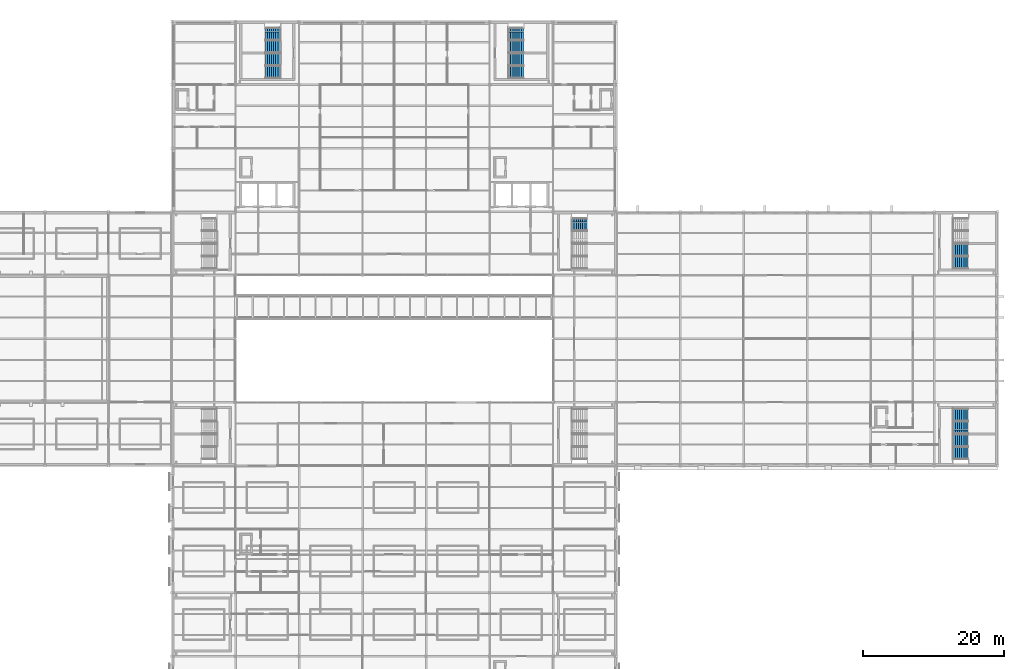
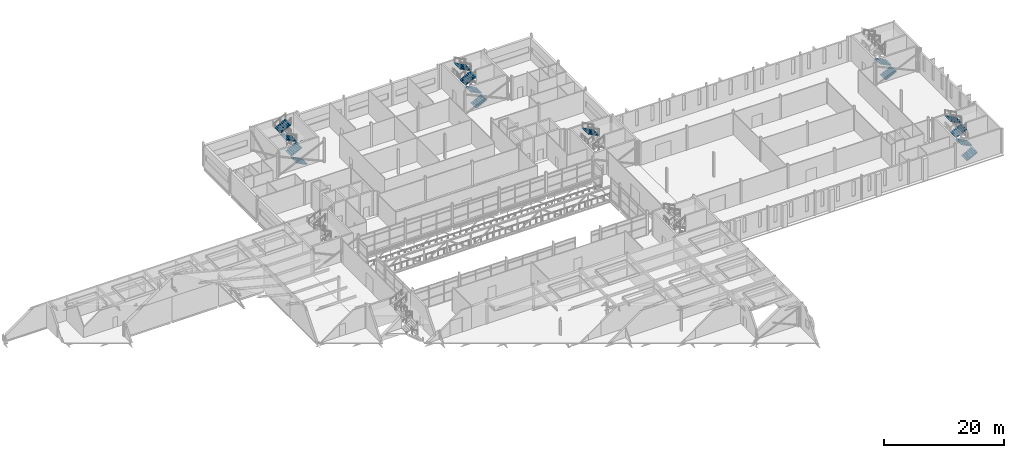
# One storey, part 93 of 115: 15 stair flights, 5 elements without a shape of their own.
"""IFC4 building model written with IfcOpenShell, lengths in metres."""

import ifcopenshell
import ifcopenshell.guid

model = None  # the IFC model being written
_history = None  # IfcOwnerHistory: only IFC2X3 demands one
_inside = {}  # id of a spatial element -> (the spatial element, [elements in it])
_under = {}  # id of a project, library or spatial element -> (it, [spatial elements below it])
_declared = {}  # id of a project -> (the project, [libraries it declares])
_typed = {}  # id of a type object -> (the type object, [elements of that type])
_made_of = {}  # id of a material, layer set ... -> (it, [elements and type objects made of it])


def new_model(schema):
    """Start an empty IFC model of exactly this schema.

    Asked for "IFC4X3", IfcOpenShell would pick the latest addendum, in which some entities
    have other attributes; the version numbers below select the first issue.
    IFC2X3 requires an IfcOwnerHistory on every rooted entity: one is made here for all.
    """
    global model, _history
    if schema == "IFC4X3":
        model = ifcopenshell.file(schema_version=(4, 3, 0, 0))
    else:
        model = ifcopenshell.file(schema=schema)
    _inside.clear()
    _under.clear()
    _declared.clear()
    _typed.clear()
    _made_of.clear()
    _history = None
    if model.schema == "IFC2X3":
        org = make("IfcOrganization", Name="unknown")
        user = make(
            "IfcPersonAndOrganization",
            ThePerson=make("IfcPerson", FamilyName="unknown"),
            TheOrganization=org,
        )
        app = make(
            "IfcApplication",
            ApplicationDeveloper=org,
            Version="unknown",
            ApplicationFullName="unknown",
            ApplicationIdentifier="unknown",
        )
        _history = make(
            "IfcOwnerHistory",
            OwningUser=user,
            OwningApplication=app,
            ChangeAction="ADDED",
            CreationDate=0,
        )
    return model


def make(cls, **values):
    """One entity of the class cls with the attributes given. An attribute that is None is left unset."""
    return model.create_entity(
        cls, **{name: value for name, value in values.items() if value is not None}
    )


def rooted(cls, **values):
    """An entity with a GlobalId (a new one), such as an element, a storey or a relation."""
    return make(cls, GlobalId=ifcopenshell.guid.new(), OwnerHistory=_history, **values)


def si_unit(unit_type, name, prefix=None):
    """IfcSIUnit, for example si_unit("LENGTHUNIT", "METRE", prefix="MILLI")."""
    return make("IfcSIUnit", UnitType=unit_type, Prefix=prefix, Name=name)


def assignment(units):
    """IfcUnitAssignment: the units of a project."""
    return None if units is None else make("IfcUnitAssignment", Units=units)


def point(xyz):
    """IfcCartesianPoint."""
    return None if xyz is None else make("IfcCartesianPoint", Coordinates=xyz)


def direction(xyz):
    """IfcDirection."""
    return None if xyz is None else make("IfcDirection", DirectionRatios=xyz)


def frame(location, z_axis=None, x_axis=None):
    """IfcAxis2Placement3D, a coordinate frame: its origin and axes. An axis left out is left unset."""
    return make(
        "IfcAxis2Placement3D",
        Location=point(location),
        Axis=direction(z_axis),
        RefDirection=direction(x_axis),
    )


def origin():
    """The frame at (0, 0, 0) with its axes left unset."""
    return frame((0.0, 0.0, 0.0))


def place(relative_to, where):
    """IfcLocalPlacement: puts the frame where relative to a parent placement (None: the world)."""
    return make(
        "IfcLocalPlacement", PlacementRelTo=relative_to, RelativePlacement=where
    )


def context(
    kind, dimensions, precision=None, world=None, true_north=None, identifier=None
):
    """IfcGeometricRepresentationContext, for example the 3D "Model" context."""
    return make(
        "IfcGeometricRepresentationContext",
        ContextIdentifier=identifier,
        ContextType=kind,
        CoordinateSpaceDimension=dimensions,
        Precision=precision,
        WorldCoordinateSystem=world,
        TrueNorth=true_north,
    )


def subcontext(parent, identifier, kind, view, scale=None):
    """IfcGeometricRepresentationSubContext, for example "Body" below "Model"."""
    return make(
        "IfcGeometricRepresentationSubContext",
        ContextIdentifier=identifier,
        ContextType=kind,
        ParentContext=parent,
        TargetScale=scale,
        TargetView=view,
    )


def project(units=None, contexts=None):
    """IfcProject with its units and contexts."""
    return rooted(
        "IfcProject",
        Name="project",
        RepresentationContexts=contexts,
        UnitsInContext=assignment(units),
    )


def spatial(cls, under=None, at=None, **own):
    """A site, building, storey or space (cls), placed at a placement, below another one or the project."""
    s = rooted(cls, ObjectPlacement=at, **own)
    if under is not None:
        _under.setdefault(under.id(), (under, []))[1].append(s)
    return s


def polyline(points):
    """IfcPolyline through the points."""
    return make("IfcPolyline", Points=[point(p) for p in points])


def outline(outer, holes=None, kind="AREA"):
    """IfcArbitraryClosedProfileDef: a profile drawn as a closed curve; with holes, ...WithVoids."""
    if holes is None:
        return make("IfcArbitraryClosedProfileDef", ProfileType=kind, OuterCurve=outer)
    return make(
        "IfcArbitraryProfileDefWithVoids",
        ProfileType=kind,
        OuterCurve=outer,
        InnerCurves=holes,
    )


def extrude(swept, where, along, depth):
    """IfcExtrudedAreaSolid: the profile swept, set in the frame where, extruded along a direction by depth."""
    return make(
        "IfcExtrudedAreaSolid",
        SweptArea=swept,
        Position=where,
        ExtrudedDirection=direction(along),
        Depth=depth,
    )


def shape(context_of_items, identifier, shape_type, items):
    """IfcShapeRepresentation: the items that make up one representation, for example the "Body"."""
    return make(
        "IfcShapeRepresentation",
        ContextOfItems=context_of_items,
        RepresentationIdentifier=identifier,
        RepresentationType=shape_type,
        Items=items,
    )


def material(Name=None, Category=None):
    """IfcMaterial."""
    return make("IfcMaterial", Name=Name, Category=Category)


def made_of(thing, what):
    """Note that an element or type object is made of a material, layer set ...; save() writes the relation."""
    if what is not None:
        _made_of.setdefault(what.id(), (what, []))[1].append(thing)
    return thing


def type_object(cls, material=None, **own):
    """A type object (cls), such as IfcWallType, which elements share."""
    return made_of(rooted(cls, **own), material)


def element(
    cls,
    number,
    at=None,
    inside=None,
    cuts=None,
    type_object=None,
    material=None,
    context=None,
    identifier="Body",
    shape_type=None,
    held_by="IfcProductDefinitionShape",
    body=None,
    shapes=None,
    **own,
):
    """One element of the class cls, such as IfcWall. Its Tag is "e" and its number.

    at: its placement. inside: the storey or other place that contains it. cuts: it is an
    opening in that element (IfcRelVoidsElement). A single representation is given by context,
    identifier, shape_type and body (its items); several are given by shapes. held_by: the class
    of the entity that holds the representations. save() writes the other relations.
    """
    e = rooted(cls, Tag="e%d" % number, ObjectPlacement=at, **own)
    if body is not None:
        shapes = [shape(context, identifier, shape_type, body)]
    if shapes is not None:
        e.Representation = make(held_by, Representations=shapes)
    if inside is not None:
        _inside.setdefault(inside.id(), (inside, []))[1].append(e)
    if cuts is not None:
        rooted(
            "IfcRelVoidsElement", RelatingBuildingElement=cuts, RelatedOpeningElement=e
        )
    if type_object is not None:
        _typed.setdefault(type_object.id(), (type_object, []))[1].append(e)
    return made_of(e, material)


def aggregate(whole, parts):
    """IfcRelAggregates: a whole, such as a stair, and the parts it consists of."""
    return rooted("IfcRelAggregates", RelatingObject=whole, RelatedObjects=parts)


def save(model, path):
    """Write the relations noted so far, then the file.

    IfcRelAggregates (storeys below a building ...), IfcRelContainedInSpatialStructure (elements
    in a storey), IfcRelDefinesByType, IfcRelAssociatesMaterial and IfcRelDeclares: one each for
    every whole, place, type object, material and project.
    """
    for whole, parts in _under.values():
        aggregate(whole, parts)
    for where, things in _inside.values():
        rooted(
            "IfcRelContainedInSpatialStructure",
            RelatedElements=things,
            RelatingStructure=where,
        )
    for kind, things in _typed.values():
        rooted("IfcRelDefinesByType", RelatedObjects=things, RelatingType=kind)
    for what, things in _made_of.values():
        rooted("IfcRelAssociatesMaterial", RelatedObjects=things, RelatingMaterial=what)
    for by, libraries in _declared.values():
        rooted("IfcRelDeclares", RelatingContext=by, RelatedDefinitions=libraries)
    model.write(path)


model = new_model("IFC4")

# Units and contexts
model_context = context("Model", 3, precision=1e-05, world=origin(), true_north=direction((0.0, 1.0)))
body_context = subcontext(model_context, "Body", "Model", "MODEL_VIEW")
ifc_project = project(units=[si_unit("LENGTHUNIT", "METRE"), si_unit("AREAUNIT", "SQUARE_METRE"), si_unit("VOLUMEUNIT", "CUBIC_METRE"), si_unit("PLANEANGLEUNIT", "RADIAN"), si_unit("MASSUNIT", "GRAM", prefix="KILO")], contexts=[model_context])

# Site, building, storey
site_placement = place(None, origin())
site = spatial("IfcSite", under=ifc_project, at=site_placement, CompositionType="ELEMENT")
building_placement = place(site_placement, origin())
building = spatial("IfcBuilding", under=site, at=building_placement, Name="Shorebreak Coast Museum", CompositionType="ELEMENT")
storey_placement = place(building_placement, frame((0.0, 0.0, 11.0)))
storey = spatial("IfcBuildingStorey", under=building, at=storey_placement, Name="L02", CompositionType="ELEMENT", Elevation=11.0)

# Stair, stair flight
ifc_material_1 = material(Name="Concrete N40 (40 MPa)", Category="concrete")
stair_type = type_object("IfcStairType", Name="Stair run 5 m", PredefinedType="DOUBLE_RETURN_STAIR", material=ifc_material_1)
stair_1_placement = place(storey_placement, origin())
stair_1 = element("IfcStair", 1, at=stair_1_placement, inside=storey, type_object=stair_type, Name="Exit stair ST04-L02", PredefinedType="DOUBLE_RETURN_STAIR")
ifc_material_2 = material(Name="Concrete N40 (40 MPa)", Category="concrete")
stair_flight_type = type_object("IfcStairFlightType", Name="Stair flight 8 risers 156.25", PredefinedType="STRAIGHT", material=ifc_material_2)
stair_flight_1_placement = place(storey_placement, frame((112.800048828125, 88.199951171875, 3.75), z_axis=(0.0, 0.0, 1.0), x_axis=(-1.0, 0.0, 0.0)))
stair_flight_1 = element("IfcStairFlight", 2, at=stair_flight_1_placement, type_object=stair_flight_type, Name="ST04-L02 flight 4", NumberOfRisers=8, NumberOfTreads=7, PredefinedType="STRAIGHT", RiserHeight=0.15625, TreadLength=0.3, context=body_context, shape_type="SweptSolid", body=[
    extrude(outline(polyline([(0.0, 0.0), (0.0, 0.15625), (0.300048828125, 0.15625), (0.300048828125, 0.3125), (0.60009765625, 0.3125), (0.60009765625, 0.46875), (0.89990234375, 0.46875), (0.89990234375, 0.625), (1.199951171875, 0.625), (1.199951171875, 0.78125), (1.5, 0.78125), (1.5, 0.9375), (1.800048828125, 0.9375), (1.800048828125, 1.09375), (2.10009765625, 1.09375), (2.10009765625, 1.25), (2.10009765625, 0.9248046875), (0.324462890625, 0.0), (0.0, 0.0)])), frame((0.0, 0.89990234375, 0.0), z_axis=(0.0, -1.0, 0.0), x_axis=(1.0, 0.0, 0.0)), (0.0, 0.0, 1.0), 0.59326171875),
    extrude(outline(polyline([(0.0, 0.0), (0.0, 0.15625), (0.300048828125, 0.15625), (0.300048828125, 0.3125), (0.60009765625, 0.3125), (0.60009765625, 0.46875), (0.89990234375, 0.46875), (0.89990234375, 0.625), (1.199951171875, 0.625), (1.199951171875, 0.78125), (1.5, 0.78125), (1.5, 0.9375), (1.800048828125, 0.9375), (1.800048828125, 1.09375), (2.10009765625, 1.09375), (2.10009765625, 1.25), (2.10009765625, 0.9248046875), (0.324462890625, 0.0), (0.0, 0.0)])), frame((0.0, 0.296630859375, 0.0), z_axis=(0.0, -1.0, 0.0), x_axis=(1.0, 0.0, 0.0)), (0.0, 0.0, 1.0), 0.59326171875),
    extrude(outline(polyline([(0.0, 0.0), (0.0, 0.15625), (0.300048828125, 0.15625), (0.300048828125, 0.3125), (0.60009765625, 0.3125), (0.60009765625, 0.46875), (0.89990234375, 0.46875), (0.89990234375, 0.625), (1.199951171875, 0.625), (1.199951171875, 0.78125), (1.5, 0.78125), (1.5, 0.9375), (1.800048828125, 0.9375), (1.800048828125, 1.09375), (2.10009765625, 1.09375), (2.10009765625, 1.25), (2.10009765625, 0.9248046875), (0.324462890625, 0.0), (0.0, 0.0)])), frame((0.0, -0.306640625, 0.0), z_axis=(0.0, -1.0, 0.0), x_axis=(1.0, 0.0, 0.0)), (0.0, 0.0, 1.0), 0.59326171875),
])
aggregate(stair_1, [stair_flight_1])

# Stair, stair flights
stair_2_placement = place(storey_placement, origin())
stair_2 = element("IfcStair", 3, at=stair_2_placement, inside=storey, type_object=stair_type, Name="Exit stair ST07-L02", PredefinedType="DOUBLE_RETURN_STAIR")
stair_flight_2_placement = place(storey_placement, frame((164.699951171875, 55.800048828125, 0.0), z_axis=(0.0, 0.0, 1.0), x_axis=(1.0, 0.0, 0.0)))
stair_flight_2 = element("IfcStairFlight", 4, at=stair_flight_2_placement, type_object=stair_flight_type, Name="ST07-L02 flight 1", NumberOfRisers=8, NumberOfTreads=7, PredefinedType="STRAIGHT", RiserHeight=0.15625, TreadLength=0.3, context=body_context, shape_type="SweptSolid", body=[
    extrude(outline(polyline([(0.0, 0.0), (0.0, 0.15625), (0.300048828125, 0.15625), (0.300048828125, 0.3125), (0.60009765625, 0.3125), (0.60009765625, 0.46875), (0.89990234375, 0.46875), (0.89990234375, 0.625), (1.199951171875, 0.625), (1.199951171875, 0.78125), (1.5, 0.78125), (1.5, 0.9375), (1.800048828125, 0.9375), (1.800048828125, 1.09375), (2.10009765625, 1.09375), (2.10009765625, 1.25), (2.10009765625, 0.9248046875), (0.324462890625, 0.0), (0.0, 0.0)])), frame((0.0, 0.89990234375, 0.0), z_axis=(0.0, -1.0, 0.0), x_axis=(1.0, 0.0, 0.0)), (0.0, 0.0, 1.0), 0.59326171875),
    extrude(outline(polyline([(0.0, 0.0), (0.0, 0.15625), (0.300048828125, 0.15625), (0.300048828125, 0.3125), (0.60009765625, 0.3125), (0.60009765625, 0.46875), (0.89990234375, 0.46875), (0.89990234375, 0.625), (1.199951171875, 0.625), (1.199951171875, 0.78125), (1.5, 0.78125), (1.5, 0.9375), (1.800048828125, 0.9375), (1.800048828125, 1.09375), (2.10009765625, 1.09375), (2.10009765625, 1.25), (2.10009765625, 0.9248046875), (0.324462890625, 0.0), (0.0, 0.0)])), frame((0.0, 0.296630859375, 0.0), z_axis=(0.0, -1.0, 0.0), x_axis=(1.0, 0.0, 0.0)), (0.0, 0.0, 1.0), 0.59326171875),
    extrude(outline(polyline([(0.0, 0.0), (0.0, 0.15625), (0.300048828125, 0.15625), (0.300048828125, 0.3125), (0.60009765625, 0.3125), (0.60009765625, 0.46875), (0.89990234375, 0.46875), (0.89990234375, 0.625), (1.199951171875, 0.625), (1.199951171875, 0.78125), (1.5, 0.78125), (1.5, 0.9375), (1.800048828125, 0.9375), (1.800048828125, 1.09375), (2.10009765625, 1.09375), (2.10009765625, 1.25), (2.10009765625, 0.9248046875), (0.324462890625, 0.0), (0.0, 0.0)])), frame((0.0, -0.306640625, 0.0), z_axis=(0.0, -1.0, 0.0), x_axis=(1.0, 0.0, 0.0)), (0.0, 0.0, 1.0), 0.59326171875),
])
stair_flight_3_placement = place(storey_placement, frame((166.800048828125, 57.60009765625, 1.25), z_axis=(0.0, 0.0, 1.0), x_axis=(-1.0, 0.0, 0.0)))
stair_flight_3 = element("IfcStairFlight", 5, at=stair_flight_3_placement, type_object=stair_flight_type, Name="ST07-L02 flight 2", NumberOfRisers=8, NumberOfTreads=7, PredefinedType="STRAIGHT", RiserHeight=0.15625, TreadLength=0.3, context=body_context, shape_type="SweptSolid", body=[
    extrude(outline(polyline([(0.0, 0.0), (0.0, 0.15625), (0.300048828125, 0.15625), (0.300048828125, 0.3125), (0.60009765625, 0.3125), (0.60009765625, 0.46875), (0.89990234375, 0.46875), (0.89990234375, 0.625), (1.199951171875, 0.625), (1.199951171875, 0.78125), (1.5, 0.78125), (1.5, 0.9375), (1.800048828125, 0.9375), (1.800048828125, 1.09375), (2.10009765625, 1.09375), (2.10009765625, 1.25), (2.10009765625, 0.9248046875), (0.324462890625, 0.0), (0.0, 0.0)])), frame((0.0, 0.89990234375, 0.0), z_axis=(0.0, -1.0, 0.0), x_axis=(1.0, 0.0, 0.0)), (0.0, 0.0, 1.0), 0.59326171875),
    extrude(outline(polyline([(0.0, 0.0), (0.0, 0.15625), (0.300048828125, 0.15625), (0.300048828125, 0.3125), (0.60009765625, 0.3125), (0.60009765625, 0.46875), (0.89990234375, 0.46875), (0.89990234375, 0.625), (1.199951171875, 0.625), (1.199951171875, 0.78125), (1.5, 0.78125), (1.5, 0.9375), (1.800048828125, 0.9375), (1.800048828125, 1.09375), (2.10009765625, 1.09375), (2.10009765625, 1.25), (2.10009765625, 0.9248046875), (0.324462890625, 0.0), (0.0, 0.0)])), frame((0.0, 0.296630859375, 0.0), z_axis=(0.0, -1.0, 0.0), x_axis=(1.0, 0.0, 0.0)), (0.0, 0.0, 1.0), 0.59326171875),
    extrude(outline(polyline([(0.0, 0.0), (0.0, 0.15625), (0.300048828125, 0.15625), (0.300048828125, 0.3125), (0.60009765625, 0.3125), (0.60009765625, 0.46875), (0.89990234375, 0.46875), (0.89990234375, 0.625), (1.199951171875, 0.625), (1.199951171875, 0.78125), (1.5, 0.78125), (1.5, 0.9375), (1.800048828125, 0.9375), (1.800048828125, 1.09375), (2.10009765625, 1.09375), (2.10009765625, 1.25), (2.10009765625, 0.9248046875), (0.324462890625, 0.0), (0.0, 0.0)])), frame((0.0, -0.306640625, 0.0), z_axis=(0.0, -1.0, 0.0), x_axis=(1.0, 0.0, 0.0)), (0.0, 0.0, 1.0), 0.59326171875),
])
stair_flight_4_placement = place(storey_placement, frame((164.699951171875, 59.39990234375, 2.5), z_axis=(0.0, 0.0, 1.0), x_axis=(1.0, 0.0, 0.0)))
stair_flight_4 = element("IfcStairFlight", 6, at=stair_flight_4_placement, type_object=stair_flight_type, Name="ST07-L02 flight 3", NumberOfRisers=8, NumberOfTreads=7, PredefinedType="STRAIGHT", RiserHeight=0.15625, TreadLength=0.3, context=body_context, shape_type="SweptSolid", body=[
    extrude(outline(polyline([(0.0, 0.0), (0.0, 0.15625), (0.300048828125, 0.15625), (0.300048828125, 0.3125), (0.60009765625, 0.3125), (0.60009765625, 0.46875), (0.89990234375, 0.46875), (0.89990234375, 0.625), (1.199951171875, 0.625), (1.199951171875, 0.78125), (1.5, 0.78125), (1.5, 0.9375), (1.800048828125, 0.9375), (1.800048828125, 1.09375), (2.10009765625, 1.09375), (2.10009765625, 1.25), (2.10009765625, 0.9248046875), (0.324462890625, 0.0), (0.0, 0.0)])), frame((0.0, 0.89990234375, 0.0), z_axis=(0.0, -1.0, 0.0), x_axis=(1.0, 0.0, 0.0)), (0.0, 0.0, 1.0), 0.59326171875),
    extrude(outline(polyline([(0.0, 0.0), (0.0, 0.15625), (0.300048828125, 0.15625), (0.300048828125, 0.3125), (0.60009765625, 0.3125), (0.60009765625, 0.46875), (0.89990234375, 0.46875), (0.89990234375, 0.625), (1.199951171875, 0.625), (1.199951171875, 0.78125), (1.5, 0.78125), (1.5, 0.9375), (1.800048828125, 0.9375), (1.800048828125, 1.09375), (2.10009765625, 1.09375), (2.10009765625, 1.25), (2.10009765625, 0.9248046875), (0.324462890625, 0.0), (0.0, 0.0)])), frame((0.0, 0.296630859375, 0.0), z_axis=(0.0, -1.0, 0.0), x_axis=(1.0, 0.0, 0.0)), (0.0, 0.0, 1.0), 0.59326171875),
    extrude(outline(polyline([(0.0, 0.0), (0.0, 0.15625), (0.300048828125, 0.15625), (0.300048828125, 0.3125), (0.60009765625, 0.3125), (0.60009765625, 0.46875), (0.89990234375, 0.46875), (0.89990234375, 0.625), (1.199951171875, 0.625), (1.199951171875, 0.78125), (1.5, 0.78125), (1.5, 0.9375), (1.800048828125, 0.9375), (1.800048828125, 1.09375), (2.10009765625, 1.09375), (2.10009765625, 1.25), (2.10009765625, 0.9248046875), (0.324462890625, 0.0), (0.0, 0.0)])), frame((0.0, -0.306640625, 0.0), z_axis=(0.0, -1.0, 0.0), x_axis=(1.0, 0.0, 0.0)), (0.0, 0.0, 1.0), 0.59326171875),
])
stair_flight_5_placement = place(storey_placement, frame((166.800048828125, 61.199951171875, 3.75), z_axis=(0.0, 0.0, 1.0), x_axis=(-1.0, 0.0, 0.0)))
stair_flight_5 = element("IfcStairFlight", 7, at=stair_flight_5_placement, type_object=stair_flight_type, Name="ST07-L02 flight 4", NumberOfRisers=8, NumberOfTreads=7, PredefinedType="STRAIGHT", RiserHeight=0.15625, TreadLength=0.3, context=body_context, shape_type="SweptSolid", body=[
    extrude(outline(polyline([(0.0, 0.0), (0.0, 0.15625), (0.300048828125, 0.15625), (0.300048828125, 0.3125), (0.60009765625, 0.3125), (0.60009765625, 0.46875), (0.89990234375, 0.46875), (0.89990234375, 0.625), (1.199951171875, 0.625), (1.199951171875, 0.78125), (1.5, 0.78125), (1.5, 0.9375), (1.800048828125, 0.9375), (1.800048828125, 1.09375), (2.10009765625, 1.09375), (2.10009765625, 1.25), (2.10009765625, 0.9248046875), (0.324462890625, 0.0), (0.0, 0.0)])), frame((0.0, 0.89990234375, 0.0), z_axis=(0.0, -1.0, 0.0), x_axis=(1.0, 0.0, 0.0)), (0.0, 0.0, 1.0), 0.59326171875),
    extrude(outline(polyline([(0.0, 0.0), (0.0, 0.15625), (0.300048828125, 0.15625), (0.300048828125, 0.3125), (0.60009765625, 0.3125), (0.60009765625, 0.46875), (0.89990234375, 0.46875), (0.89990234375, 0.625), (1.199951171875, 0.625), (1.199951171875, 0.78125), (1.5, 0.78125), (1.5, 0.9375), (1.800048828125, 0.9375), (1.800048828125, 1.09375), (2.10009765625, 1.09375), (2.10009765625, 1.25), (2.10009765625, 0.9248046875), (0.324462890625, 0.0), (0.0, 0.0)])), frame((0.0, 0.296630859375, 0.0), z_axis=(0.0, -1.0, 0.0), x_axis=(1.0, 0.0, 0.0)), (0.0, 0.0, 1.0), 0.59326171875),
    extrude(outline(polyline([(0.0, 0.0), (0.0, 0.15625), (0.300048828125, 0.15625), (0.300048828125, 0.3125), (0.60009765625, 0.3125), (0.60009765625, 0.46875), (0.89990234375, 0.46875), (0.89990234375, 0.625), (1.199951171875, 0.625), (1.199951171875, 0.78125), (1.5, 0.78125), (1.5, 0.9375), (1.800048828125, 0.9375), (1.800048828125, 1.09375), (2.10009765625, 1.09375), (2.10009765625, 1.25), (2.10009765625, 0.9248046875), (0.324462890625, 0.0), (0.0, 0.0)])), frame((0.0, -0.306640625, 0.0), z_axis=(0.0, -1.0, 0.0), x_axis=(1.0, 0.0, 0.0)), (0.0, 0.0, 1.0), 0.59326171875),
])
aggregate(stair_2, [stair_flight_2, stair_flight_3, stair_flight_4, stair_flight_5])

stair_3_placement = place(storey_placement, origin())
stair_3 = element("IfcStair", 8, at=stair_3_placement, inside=storey, type_object=stair_type, Name="Exit stair ST08-L02", PredefinedType="DOUBLE_RETURN_STAIR")
stair_flight_6_placement = place(storey_placement, frame((164.699951171875, 82.800048828125, 0.0), z_axis=(0.0, 0.0, 1.0), x_axis=(1.0, 0.0, 0.0)))
stair_flight_6 = element("IfcStairFlight", 9, at=stair_flight_6_placement, type_object=stair_flight_type, Name="ST08-L02 flight 1", NumberOfRisers=8, NumberOfTreads=7, PredefinedType="STRAIGHT", RiserHeight=0.15625, TreadLength=0.3, context=body_context, shape_type="SweptSolid", body=[
    extrude(outline(polyline([(0.0, 0.0), (0.0, 0.15625), (0.300048828125, 0.15625), (0.300048828125, 0.3125), (0.60009765625, 0.3125), (0.60009765625, 0.46875), (0.89990234375, 0.46875), (0.89990234375, 0.625), (1.199951171875, 0.625), (1.199951171875, 0.78125), (1.5, 0.78125), (1.5, 0.9375), (1.800048828125, 0.9375), (1.800048828125, 1.09375), (2.10009765625, 1.09375), (2.10009765625, 1.25), (2.10009765625, 0.9248046875), (0.324462890625, 0.0), (0.0, 0.0)])), frame((0.0, 0.89990234375, 0.0), z_axis=(0.0, -1.0, 0.0), x_axis=(1.0, 0.0, 0.0)), (0.0, 0.0, 1.0), 0.59326171875),
    extrude(outline(polyline([(0.0, 0.0), (0.0, 0.15625), (0.300048828125, 0.15625), (0.300048828125, 0.3125), (0.60009765625, 0.3125), (0.60009765625, 0.46875), (0.89990234375, 0.46875), (0.89990234375, 0.625), (1.199951171875, 0.625), (1.199951171875, 0.78125), (1.5, 0.78125), (1.5, 0.9375), (1.800048828125, 0.9375), (1.800048828125, 1.09375), (2.10009765625, 1.09375), (2.10009765625, 1.25), (2.10009765625, 0.9248046875), (0.324462890625, 0.0), (0.0, 0.0)])), frame((0.0, 0.296630859375, 0.0), z_axis=(0.0, -1.0, 0.0), x_axis=(1.0, 0.0, 0.0)), (0.0, 0.0, 1.0), 0.59326171875),
    extrude(outline(polyline([(0.0, 0.0), (0.0, 0.15625), (0.300048828125, 0.15625), (0.300048828125, 0.3125), (0.60009765625, 0.3125), (0.60009765625, 0.46875), (0.89990234375, 0.46875), (0.89990234375, 0.625), (1.199951171875, 0.625), (1.199951171875, 0.78125), (1.5, 0.78125), (1.5, 0.9375), (1.800048828125, 0.9375), (1.800048828125, 1.09375), (2.10009765625, 1.09375), (2.10009765625, 1.25), (2.10009765625, 0.9248046875), (0.324462890625, 0.0), (0.0, 0.0)])), frame((0.0, -0.306640625, 0.0), z_axis=(0.0, -1.0, 0.0), x_axis=(1.0, 0.0, 0.0)), (0.0, 0.0, 1.0), 0.59326171875),
])
stair_flight_7_placement = place(storey_placement, frame((166.800048828125, 84.60009765625, 1.25), z_axis=(0.0, 0.0, 1.0), x_axis=(-1.0, 0.0, 0.0)))
stair_flight_7 = element("IfcStairFlight", 10, at=stair_flight_7_placement, type_object=stair_flight_type, Name="ST08-L02 flight 2", NumberOfRisers=8, NumberOfTreads=7, PredefinedType="STRAIGHT", RiserHeight=0.15625, TreadLength=0.3, context=body_context, shape_type="SweptSolid", body=[
    extrude(outline(polyline([(0.0, 0.0), (0.0, 0.15625), (0.300048828125, 0.15625), (0.300048828125, 0.3125), (0.60009765625, 0.3125), (0.60009765625, 0.46875), (0.89990234375, 0.46875), (0.89990234375, 0.625), (1.199951171875, 0.625), (1.199951171875, 0.78125), (1.5, 0.78125), (1.5, 0.9375), (1.800048828125, 0.9375), (1.800048828125, 1.09375), (2.10009765625, 1.09375), (2.10009765625, 1.25), (2.10009765625, 0.9248046875), (0.324462890625, 0.0), (0.0, 0.0)])), frame((0.0, 0.89990234375, 0.0), z_axis=(0.0, -1.0, 0.0), x_axis=(1.0, 0.0, 0.0)), (0.0, 0.0, 1.0), 0.59326171875),
    extrude(outline(polyline([(0.0, 0.0), (0.0, 0.15625), (0.300048828125, 0.15625), (0.300048828125, 0.3125), (0.60009765625, 0.3125), (0.60009765625, 0.46875), (0.89990234375, 0.46875), (0.89990234375, 0.625), (1.199951171875, 0.625), (1.199951171875, 0.78125), (1.5, 0.78125), (1.5, 0.9375), (1.800048828125, 0.9375), (1.800048828125, 1.09375), (2.10009765625, 1.09375), (2.10009765625, 1.25), (2.10009765625, 0.9248046875), (0.324462890625, 0.0), (0.0, 0.0)])), frame((0.0, 0.296630859375, 0.0), z_axis=(0.0, -1.0, 0.0), x_axis=(1.0, 0.0, 0.0)), (0.0, 0.0, 1.0), 0.59326171875),
    extrude(outline(polyline([(0.0, 0.0), (0.0, 0.15625), (0.300048828125, 0.15625), (0.300048828125, 0.3125), (0.60009765625, 0.3125), (0.60009765625, 0.46875), (0.89990234375, 0.46875), (0.89990234375, 0.625), (1.199951171875, 0.625), (1.199951171875, 0.78125), (1.5, 0.78125), (1.5, 0.9375), (1.800048828125, 0.9375), (1.800048828125, 1.09375), (2.10009765625, 1.09375), (2.10009765625, 1.25), (2.10009765625, 0.9248046875), (0.324462890625, 0.0), (0.0, 0.0)])), frame((0.0, -0.306640625, 0.0), z_axis=(0.0, -1.0, 0.0), x_axis=(1.0, 0.0, 0.0)), (0.0, 0.0, 1.0), 0.59326171875),
])
aggregate(stair_3, [stair_flight_6, stair_flight_7])

stair_4_placement = place(storey_placement, origin())
stair_4 = element("IfcStair", 11, at=stair_4_placement, inside=storey, type_object=stair_type, Name="Exit stair ST09-L02", PredefinedType="DOUBLE_RETURN_STAIR")
stair_flight_8_placement = place(storey_placement, frame((69.300048828125, 109.800048828125, 0.0), z_axis=(0.0, 0.0, 1.0), x_axis=(-1.0, 0.0, 0.0)))
stair_flight_8 = element("IfcStairFlight", 12, at=stair_flight_8_placement, type_object=stair_flight_type, Name="ST09-L02 flight 1", NumberOfRisers=8, NumberOfTreads=7, PredefinedType="STRAIGHT", RiserHeight=0.15625, TreadLength=0.3, context=body_context, shape_type="SweptSolid", body=[
    extrude(outline(polyline([(0.0, 0.0), (0.0, 0.15625), (0.300048828125, 0.15625), (0.300048828125, 0.3125), (0.60009765625, 0.3125), (0.60009765625, 0.46875), (0.89990234375, 0.46875), (0.89990234375, 0.625), (1.199951171875, 0.625), (1.199951171875, 0.78125), (1.5, 0.78125), (1.5, 0.9375), (1.800048828125, 0.9375), (1.800048828125, 1.09375), (2.10009765625, 1.09375), (2.10009765625, 1.25), (2.10009765625, 0.9248046875), (0.324462890625, 0.0), (0.0, 0.0)])), frame((0.0, 0.89990234375, 0.0), z_axis=(0.0, -1.0, 0.0), x_axis=(1.0, 0.0, 0.0)), (0.0, 0.0, 1.0), 0.59326171875),
    extrude(outline(polyline([(0.0, 0.0), (0.0, 0.15625), (0.300048828125, 0.15625), (0.300048828125, 0.3125), (0.60009765625, 0.3125), (0.60009765625, 0.46875), (0.89990234375, 0.46875), (0.89990234375, 0.625), (1.199951171875, 0.625), (1.199951171875, 0.78125), (1.5, 0.78125), (1.5, 0.9375), (1.800048828125, 0.9375), (1.800048828125, 1.09375), (2.10009765625, 1.09375), (2.10009765625, 1.25), (2.10009765625, 0.9248046875), (0.324462890625, 0.0), (0.0, 0.0)])), frame((0.0, 0.296630859375, 0.0), z_axis=(0.0, -1.0, 0.0), x_axis=(1.0, 0.0, 0.0)), (0.0, 0.0, 1.0), 0.59326171875),
    extrude(outline(polyline([(0.0, 0.0), (0.0, 0.15625), (0.300048828125, 0.15625), (0.300048828125, 0.3125), (0.60009765625, 0.3125), (0.60009765625, 0.46875), (0.89990234375, 0.46875), (0.89990234375, 0.625), (1.199951171875, 0.625), (1.199951171875, 0.78125), (1.5, 0.78125), (1.5, 0.9375), (1.800048828125, 0.9375), (1.800048828125, 1.09375), (2.10009765625, 1.09375), (2.10009765625, 1.25), (2.10009765625, 0.9248046875), (0.324462890625, 0.0), (0.0, 0.0)])), frame((0.0, -0.306640625, 0.0), z_axis=(0.0, -1.0, 0.0), x_axis=(1.0, 0.0, 0.0)), (0.0, 0.0, 1.0), 0.59326171875),
])
stair_flight_9_placement = place(storey_placement, frame((67.199951171875, 111.60009765625, 1.25), z_axis=(0.0, 0.0, 1.0), x_axis=(1.0, 0.0, 0.0)))
stair_flight_9 = element("IfcStairFlight", 13, at=stair_flight_9_placement, type_object=stair_flight_type, Name="ST09-L02 flight 2", NumberOfRisers=8, NumberOfTreads=7, PredefinedType="STRAIGHT", RiserHeight=0.15625, TreadLength=0.3, context=body_context, shape_type="SweptSolid", body=[
    extrude(outline(polyline([(0.0, 0.0), (0.0, 0.15625), (0.300048828125, 0.15625), (0.300048828125, 0.3125), (0.60009765625, 0.3125), (0.60009765625, 0.46875), (0.89990234375, 0.46875), (0.89990234375, 0.625), (1.199951171875, 0.625), (1.199951171875, 0.78125), (1.5, 0.78125), (1.5, 0.9375), (1.800048828125, 0.9375), (1.800048828125, 1.09375), (2.10009765625, 1.09375), (2.10009765625, 1.25), (2.10009765625, 0.9248046875), (0.324462890625, 0.0), (0.0, 0.0)])), frame((0.0, 0.89990234375, 0.0), z_axis=(0.0, -1.0, 0.0), x_axis=(1.0, 0.0, 0.0)), (0.0, 0.0, 1.0), 0.59326171875),
    extrude(outline(polyline([(0.0, 0.0), (0.0, 0.15625), (0.300048828125, 0.15625), (0.300048828125, 0.3125), (0.60009765625, 0.3125), (0.60009765625, 0.46875), (0.89990234375, 0.46875), (0.89990234375, 0.625), (1.199951171875, 0.625), (1.199951171875, 0.78125), (1.5, 0.78125), (1.5, 0.9375), (1.800048828125, 0.9375), (1.800048828125, 1.09375), (2.10009765625, 1.09375), (2.10009765625, 1.25), (2.10009765625, 0.9248046875), (0.324462890625, 0.0), (0.0, 0.0)])), frame((0.0, 0.296630859375, 0.0), z_axis=(0.0, -1.0, 0.0), x_axis=(1.0, 0.0, 0.0)), (0.0, 0.0, 1.0), 0.59326171875),
    extrude(outline(polyline([(0.0, 0.0), (0.0, 0.15625), (0.300048828125, 0.15625), (0.300048828125, 0.3125), (0.60009765625, 0.3125), (0.60009765625, 0.46875), (0.89990234375, 0.46875), (0.89990234375, 0.625), (1.199951171875, 0.625), (1.199951171875, 0.78125), (1.5, 0.78125), (1.5, 0.9375), (1.800048828125, 0.9375), (1.800048828125, 1.09375), (2.10009765625, 1.09375), (2.10009765625, 1.25), (2.10009765625, 0.9248046875), (0.324462890625, 0.0), (0.0, 0.0)])), frame((0.0, -0.306640625, 0.0), z_axis=(0.0, -1.0, 0.0), x_axis=(1.0, 0.0, 0.0)), (0.0, 0.0, 1.0), 0.59326171875),
])
stair_flight_10_placement = place(storey_placement, frame((69.300048828125, 113.39990234375, 2.5), z_axis=(0.0, 0.0, 1.0), x_axis=(-1.0, 0.0, 0.0)))
stair_flight_10 = element("IfcStairFlight", 14, at=stair_flight_10_placement, type_object=stair_flight_type, Name="ST09-L02 flight 3", NumberOfRisers=8, NumberOfTreads=7, PredefinedType="STRAIGHT", RiserHeight=0.15625, TreadLength=0.3, context=body_context, shape_type="SweptSolid", body=[
    extrude(outline(polyline([(0.0, 0.0), (0.0, 0.15625), (0.300048828125, 0.15625), (0.300048828125, 0.3125), (0.60009765625, 0.3125), (0.60009765625, 0.46875), (0.89990234375, 0.46875), (0.89990234375, 0.625), (1.199951171875, 0.625), (1.199951171875, 0.78125), (1.5, 0.78125), (1.5, 0.9375), (1.800048828125, 0.9375), (1.800048828125, 1.09375), (2.10009765625, 1.09375), (2.10009765625, 1.25), (2.10009765625, 0.9248046875), (0.324462890625, 0.0), (0.0, 0.0)])), frame((0.0, 0.89990234375, 0.0), z_axis=(0.0, -1.0, 0.0), x_axis=(1.0, 0.0, 0.0)), (0.0, 0.0, 1.0), 0.59326171875),
    extrude(outline(polyline([(0.0, 0.0), (0.0, 0.15625), (0.300048828125, 0.15625), (0.300048828125, 0.3125), (0.60009765625, 0.3125), (0.60009765625, 0.46875), (0.89990234375, 0.46875), (0.89990234375, 0.625), (1.199951171875, 0.625), (1.199951171875, 0.78125), (1.5, 0.78125), (1.5, 0.9375), (1.800048828125, 0.9375), (1.800048828125, 1.09375), (2.10009765625, 1.09375), (2.10009765625, 1.25), (2.10009765625, 0.9248046875), (0.324462890625, 0.0), (0.0, 0.0)])), frame((0.0, 0.296630859375, 0.0), z_axis=(0.0, -1.0, 0.0), x_axis=(1.0, 0.0, 0.0)), (0.0, 0.0, 1.0), 0.59326171875),
    extrude(outline(polyline([(0.0, 0.0), (0.0, 0.15625), (0.300048828125, 0.15625), (0.300048828125, 0.3125), (0.60009765625, 0.3125), (0.60009765625, 0.46875), (0.89990234375, 0.46875), (0.89990234375, 0.625), (1.199951171875, 0.625), (1.199951171875, 0.78125), (1.5, 0.78125), (1.5, 0.9375), (1.800048828125, 0.9375), (1.800048828125, 1.09375), (2.10009765625, 1.09375), (2.10009765625, 1.25), (2.10009765625, 0.9248046875), (0.324462890625, 0.0), (0.0, 0.0)])), frame((0.0, -0.306640625, 0.0), z_axis=(0.0, -1.0, 0.0), x_axis=(1.0, 0.0, 0.0)), (0.0, 0.0, 1.0), 0.59326171875),
])
stair_flight_11_placement = place(storey_placement, frame((67.199951171875, 115.199951171875, 3.75), z_axis=(0.0, 0.0, 1.0), x_axis=(1.0, 0.0, 0.0)))
stair_flight_11 = element("IfcStairFlight", 15, at=stair_flight_11_placement, type_object=stair_flight_type, Name="ST09-L02 flight 4", NumberOfRisers=8, NumberOfTreads=7, PredefinedType="STRAIGHT", RiserHeight=0.15625, TreadLength=0.3, context=body_context, shape_type="SweptSolid", body=[
    extrude(outline(polyline([(0.0, 0.0), (0.0, 0.15625), (0.300048828125, 0.15625), (0.300048828125, 0.3125), (0.60009765625, 0.3125), (0.60009765625, 0.46875), (0.89990234375, 0.46875), (0.89990234375, 0.625), (1.199951171875, 0.625), (1.199951171875, 0.78125), (1.5, 0.78125), (1.5, 0.9375), (1.800048828125, 0.9375), (1.800048828125, 1.09375), (2.10009765625, 1.09375), (2.10009765625, 1.25), (2.10009765625, 0.9248046875), (0.324462890625, 0.0), (0.0, 0.0)])), frame((0.0, 0.89990234375, 0.0), z_axis=(0.0, -1.0, 0.0), x_axis=(1.0, 0.0, 0.0)), (0.0, 0.0, 1.0), 0.59326171875),
    extrude(outline(polyline([(0.0, 0.0), (0.0, 0.15625), (0.300048828125, 0.15625), (0.300048828125, 0.3125), (0.60009765625, 0.3125), (0.60009765625, 0.46875), (0.89990234375, 0.46875), (0.89990234375, 0.625), (1.199951171875, 0.625), (1.199951171875, 0.78125), (1.5, 0.78125), (1.5, 0.9375), (1.800048828125, 0.9375), (1.800048828125, 1.09375), (2.10009765625, 1.09375), (2.10009765625, 1.25), (2.10009765625, 0.9248046875), (0.324462890625, 0.0), (0.0, 0.0)])), frame((0.0, 0.296630859375, 0.0), z_axis=(0.0, -1.0, 0.0), x_axis=(1.0, 0.0, 0.0)), (0.0, 0.0, 1.0), 0.59326171875),
    extrude(outline(polyline([(0.0, 0.0), (0.0, 0.15625), (0.300048828125, 0.15625), (0.300048828125, 0.3125), (0.60009765625, 0.3125), (0.60009765625, 0.46875), (0.89990234375, 0.46875), (0.89990234375, 0.625), (1.199951171875, 0.625), (1.199951171875, 0.78125), (1.5, 0.78125), (1.5, 0.9375), (1.800048828125, 0.9375), (1.800048828125, 1.09375), (2.10009765625, 1.09375), (2.10009765625, 1.25), (2.10009765625, 0.9248046875), (0.324462890625, 0.0), (0.0, 0.0)])), frame((0.0, -0.306640625, 0.0), z_axis=(0.0, -1.0, 0.0), x_axis=(1.0, 0.0, 0.0)), (0.0, 0.0, 1.0), 0.59326171875),
])
aggregate(stair_4, [stair_flight_8, stair_flight_9, stair_flight_10, stair_flight_11])

stair_5_placement = place(storey_placement, origin())
stair_5 = element("IfcStair", 16, at=stair_5_placement, inside=storey, type_object=stair_type, Name="Exit stair ST10-L02", PredefinedType="DOUBLE_RETURN_STAIR")
stair_flight_12_placement = place(storey_placement, frame((101.699951171875, 109.800048828125, 0.0), z_axis=(0.0, 0.0, 1.0), x_axis=(1.0, 0.0, 0.0)))
stair_flight_12 = element("IfcStairFlight", 17, at=stair_flight_12_placement, type_object=stair_flight_type, Name="ST10-L02 flight 1", NumberOfRisers=8, NumberOfTreads=7, PredefinedType="STRAIGHT", RiserHeight=0.15625, TreadLength=0.3, context=body_context, shape_type="SweptSolid", body=[
    extrude(outline(polyline([(0.0, 0.0), (0.0, 0.15625), (0.300048828125, 0.15625), (0.300048828125, 0.3125), (0.60009765625, 0.3125), (0.60009765625, 0.46875), (0.89990234375, 0.46875), (0.89990234375, 0.625), (1.199951171875, 0.625), (1.199951171875, 0.78125), (1.5, 0.78125), (1.5, 0.9375), (1.800048828125, 0.9375), (1.800048828125, 1.09375), (2.10009765625, 1.09375), (2.10009765625, 1.25), (2.10009765625, 0.9248046875), (0.324462890625, 0.0), (0.0, 0.0)])), frame((0.0, 0.89990234375, 0.0), z_axis=(0.0, -1.0, 0.0), x_axis=(1.0, 0.0, 0.0)), (0.0, 0.0, 1.0), 0.59326171875),
    extrude(outline(polyline([(0.0, 0.0), (0.0, 0.15625), (0.300048828125, 0.15625), (0.300048828125, 0.3125), (0.60009765625, 0.3125), (0.60009765625, 0.46875), (0.89990234375, 0.46875), (0.89990234375, 0.625), (1.199951171875, 0.625), (1.199951171875, 0.78125), (1.5, 0.78125), (1.5, 0.9375), (1.800048828125, 0.9375), (1.800048828125, 1.09375), (2.10009765625, 1.09375), (2.10009765625, 1.25), (2.10009765625, 0.9248046875), (0.324462890625, 0.0), (0.0, 0.0)])), frame((0.0, 0.296630859375, 0.0), z_axis=(0.0, -1.0, 0.0), x_axis=(1.0, 0.0, 0.0)), (0.0, 0.0, 1.0), 0.59326171875),
    extrude(outline(polyline([(0.0, 0.0), (0.0, 0.15625), (0.300048828125, 0.15625), (0.300048828125, 0.3125), (0.60009765625, 0.3125), (0.60009765625, 0.46875), (0.89990234375, 0.46875), (0.89990234375, 0.625), (1.199951171875, 0.625), (1.199951171875, 0.78125), (1.5, 0.78125), (1.5, 0.9375), (1.800048828125, 0.9375), (1.800048828125, 1.09375), (2.10009765625, 1.09375), (2.10009765625, 1.25), (2.10009765625, 0.9248046875), (0.324462890625, 0.0), (0.0, 0.0)])), frame((0.0, -0.306640625, 0.0), z_axis=(0.0, -1.0, 0.0), x_axis=(1.0, 0.0, 0.0)), (0.0, 0.0, 1.0), 0.59326171875),
])
stair_flight_13_placement = place(storey_placement, frame((103.800048828125, 111.60009765625, 1.25), z_axis=(0.0, 0.0, 1.0), x_axis=(-1.0, 0.0, 0.0)))
stair_flight_13 = element("IfcStairFlight", 18, at=stair_flight_13_placement, type_object=stair_flight_type, Name="ST10-L02 flight 2", NumberOfRisers=8, NumberOfTreads=7, PredefinedType="STRAIGHT", RiserHeight=0.15625, TreadLength=0.3, context=body_context, shape_type="SweptSolid", body=[
    extrude(outline(polyline([(0.0, 0.0), (0.0, 0.15625), (0.300048828125, 0.15625), (0.300048828125, 0.3125), (0.60009765625, 0.3125), (0.60009765625, 0.46875), (0.89990234375, 0.46875), (0.89990234375, 0.625), (1.199951171875, 0.625), (1.199951171875, 0.78125), (1.5, 0.78125), (1.5, 0.9375), (1.800048828125, 0.9375), (1.800048828125, 1.09375), (2.10009765625, 1.09375), (2.10009765625, 1.25), (2.10009765625, 0.9248046875), (0.324462890625, 0.0), (0.0, 0.0)])), frame((0.0, 0.89990234375, 0.0), z_axis=(0.0, -1.0, 0.0), x_axis=(1.0, 0.0, 0.0)), (0.0, 0.0, 1.0), 0.59326171875),
    extrude(outline(polyline([(0.0, 0.0), (0.0, 0.15625), (0.300048828125, 0.15625), (0.300048828125, 0.3125), (0.60009765625, 0.3125), (0.60009765625, 0.46875), (0.89990234375, 0.46875), (0.89990234375, 0.625), (1.199951171875, 0.625), (1.199951171875, 0.78125), (1.5, 0.78125), (1.5, 0.9375), (1.800048828125, 0.9375), (1.800048828125, 1.09375), (2.10009765625, 1.09375), (2.10009765625, 1.25), (2.10009765625, 0.9248046875), (0.324462890625, 0.0), (0.0, 0.0)])), frame((0.0, 0.296630859375, 0.0), z_axis=(0.0, -1.0, 0.0), x_axis=(1.0, 0.0, 0.0)), (0.0, 0.0, 1.0), 0.59326171875),
    extrude(outline(polyline([(0.0, 0.0), (0.0, 0.15625), (0.300048828125, 0.15625), (0.300048828125, 0.3125), (0.60009765625, 0.3125), (0.60009765625, 0.46875), (0.89990234375, 0.46875), (0.89990234375, 0.625), (1.199951171875, 0.625), (1.199951171875, 0.78125), (1.5, 0.78125), (1.5, 0.9375), (1.800048828125, 0.9375), (1.800048828125, 1.09375), (2.10009765625, 1.09375), (2.10009765625, 1.25), (2.10009765625, 0.9248046875), (0.324462890625, 0.0), (0.0, 0.0)])), frame((0.0, -0.306640625, 0.0), z_axis=(0.0, -1.0, 0.0), x_axis=(1.0, 0.0, 0.0)), (0.0, 0.0, 1.0), 0.59326171875),
])
stair_flight_14_placement = place(storey_placement, frame((101.699951171875, 113.39990234375, 2.5), z_axis=(0.0, 0.0, 1.0), x_axis=(1.0, 0.0, 0.0)))
stair_flight_14 = element("IfcStairFlight", 19, at=stair_flight_14_placement, type_object=stair_flight_type, Name="ST10-L02 flight 3", NumberOfRisers=8, NumberOfTreads=7, PredefinedType="STRAIGHT", RiserHeight=0.15625, TreadLength=0.3, context=body_context, shape_type="SweptSolid", body=[
    extrude(outline(polyline([(0.0, 0.0), (0.0, 0.15625), (0.300048828125, 0.15625), (0.300048828125, 0.3125), (0.60009765625, 0.3125), (0.60009765625, 0.46875), (0.89990234375, 0.46875), (0.89990234375, 0.625), (1.199951171875, 0.625), (1.199951171875, 0.78125), (1.5, 0.78125), (1.5, 0.9375), (1.800048828125, 0.9375), (1.800048828125, 1.09375), (2.10009765625, 1.09375), (2.10009765625, 1.25), (2.10009765625, 0.9248046875), (0.324462890625, 0.0), (0.0, 0.0)])), frame((0.0, 0.89990234375, 0.0), z_axis=(0.0, -1.0, 0.0), x_axis=(1.0, 0.0, 0.0)), (0.0, 0.0, 1.0), 0.59326171875),
    extrude(outline(polyline([(0.0, 0.0), (0.0, 0.15625), (0.300048828125, 0.15625), (0.300048828125, 0.3125), (0.60009765625, 0.3125), (0.60009765625, 0.46875), (0.89990234375, 0.46875), (0.89990234375, 0.625), (1.199951171875, 0.625), (1.199951171875, 0.78125), (1.5, 0.78125), (1.5, 0.9375), (1.800048828125, 0.9375), (1.800048828125, 1.09375), (2.10009765625, 1.09375), (2.10009765625, 1.25), (2.10009765625, 0.9248046875), (0.324462890625, 0.0), (0.0, 0.0)])), frame((0.0, 0.296630859375, 0.0), z_axis=(0.0, -1.0, 0.0), x_axis=(1.0, 0.0, 0.0)), (0.0, 0.0, 1.0), 0.59326171875),
    extrude(outline(polyline([(0.0, 0.0), (0.0, 0.15625), (0.300048828125, 0.15625), (0.300048828125, 0.3125), (0.60009765625, 0.3125), (0.60009765625, 0.46875), (0.89990234375, 0.46875), (0.89990234375, 0.625), (1.199951171875, 0.625), (1.199951171875, 0.78125), (1.5, 0.78125), (1.5, 0.9375), (1.800048828125, 0.9375), (1.800048828125, 1.09375), (2.10009765625, 1.09375), (2.10009765625, 1.25), (2.10009765625, 0.9248046875), (0.324462890625, 0.0), (0.0, 0.0)])), frame((0.0, -0.306640625, 0.0), z_axis=(0.0, -1.0, 0.0), x_axis=(1.0, 0.0, 0.0)), (0.0, 0.0, 1.0), 0.59326171875),
])
stair_flight_15_placement = place(storey_placement, frame((103.800048828125, 115.199951171875, 3.75), z_axis=(0.0, 0.0, 1.0), x_axis=(-1.0, 0.0, 0.0)))
stair_flight_15 = element("IfcStairFlight", 20, at=stair_flight_15_placement, type_object=stair_flight_type, Name="ST10-L02 flight 4", NumberOfRisers=8, NumberOfTreads=7, PredefinedType="STRAIGHT", RiserHeight=0.15625, TreadLength=0.3, context=body_context, shape_type="SweptSolid", body=[
    extrude(outline(polyline([(0.0, 0.0), (0.0, 0.15625), (0.300048828125, 0.15625), (0.300048828125, 0.3125), (0.60009765625, 0.3125), (0.60009765625, 0.46875), (0.89990234375, 0.46875), (0.89990234375, 0.625), (1.199951171875, 0.625), (1.199951171875, 0.78125), (1.5, 0.78125), (1.5, 0.9375), (1.800048828125, 0.9375), (1.800048828125, 1.09375), (2.10009765625, 1.09375), (2.10009765625, 1.25), (2.10009765625, 0.9248046875), (0.324462890625, 0.0), (0.0, 0.0)])), frame((0.0, 0.89990234375, 0.0), z_axis=(0.0, -1.0, 0.0), x_axis=(1.0, 0.0, 0.0)), (0.0, 0.0, 1.0), 0.59326171875),
    extrude(outline(polyline([(0.0, 0.0), (0.0, 0.15625), (0.300048828125, 0.15625), (0.300048828125, 0.3125), (0.60009765625, 0.3125), (0.60009765625, 0.46875), (0.89990234375, 0.46875), (0.89990234375, 0.625), (1.199951171875, 0.625), (1.199951171875, 0.78125), (1.5, 0.78125), (1.5, 0.9375), (1.800048828125, 0.9375), (1.800048828125, 1.09375), (2.10009765625, 1.09375), (2.10009765625, 1.25), (2.10009765625, 0.9248046875), (0.324462890625, 0.0), (0.0, 0.0)])), frame((0.0, 0.296630859375, 0.0), z_axis=(0.0, -1.0, 0.0), x_axis=(1.0, 0.0, 0.0)), (0.0, 0.0, 1.0), 0.59326171875),
    extrude(outline(polyline([(0.0, 0.0), (0.0, 0.15625), (0.300048828125, 0.15625), (0.300048828125, 0.3125), (0.60009765625, 0.3125), (0.60009765625, 0.46875), (0.89990234375, 0.46875), (0.89990234375, 0.625), (1.199951171875, 0.625), (1.199951171875, 0.78125), (1.5, 0.78125), (1.5, 0.9375), (1.800048828125, 0.9375), (1.800048828125, 1.09375), (2.10009765625, 1.09375), (2.10009765625, 1.25), (2.10009765625, 0.9248046875), (0.324462890625, 0.0), (0.0, 0.0)])), frame((0.0, -0.306640625, 0.0), z_axis=(0.0, -1.0, 0.0), x_axis=(1.0, 0.0, 0.0)), (0.0, 0.0, 1.0), 0.59326171875),
])
aggregate(stair_5, [stair_flight_12, stair_flight_13, stair_flight_14, stair_flight_15])

save(model, "model.ifc")
